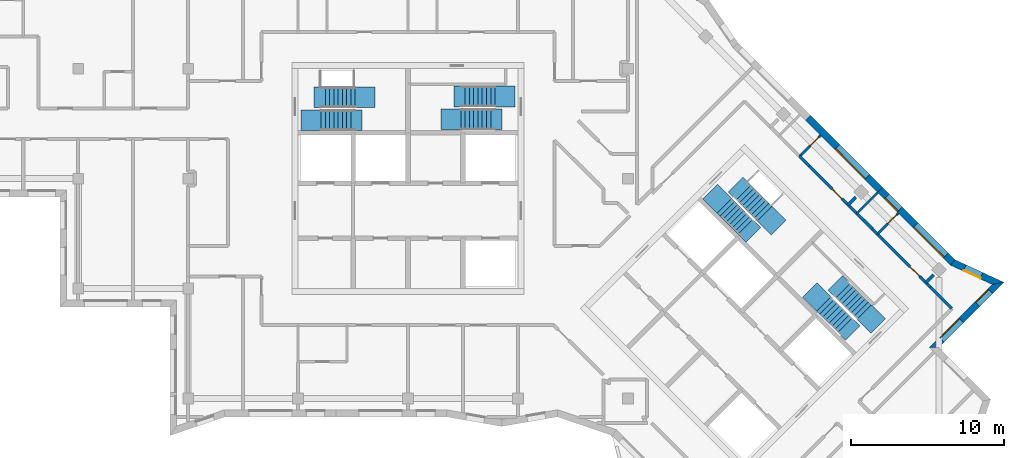
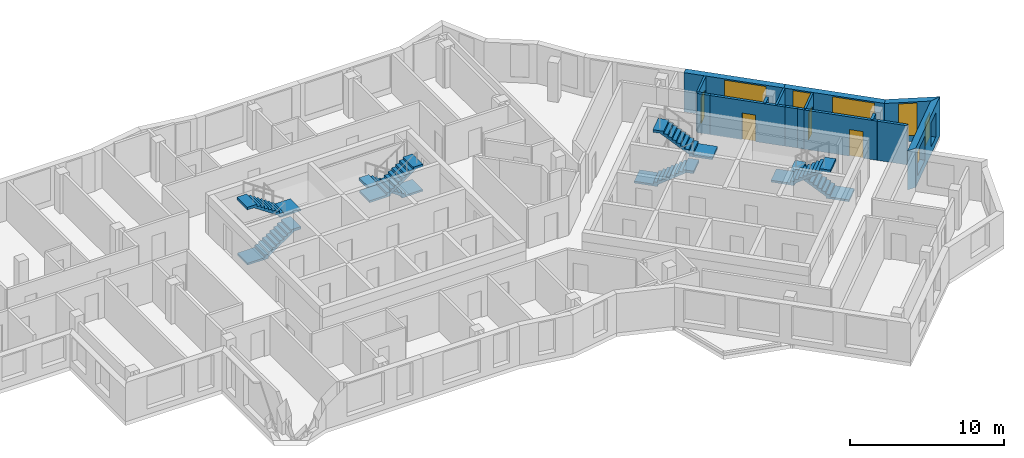
# One storey, part 8 of 11: 15 walls, 8 stair flights, 6 windows, 4 doors, 10 openings, 4 elements without a shape of their own.
"""IFC4 building model written with IfcOpenShell, lengths in metres."""

from ifc_helpers import new_model, si_unit, direction, frame, frame_2d, origin, place, context, subcontext, project, spatial, polyline, rectangle, outline, extrude, material, layer, layer_set, type_object, element, fill, aggregate, save


model = new_model("IFC4")

# Units and contexts
model_context = context("Model", 3, precision=1e-05, world=origin(), true_north=direction((0.0, 1.0)))
body_context = subcontext(model_context, "Body", "Model", "MODEL_VIEW")
ifc_project = project(units=[si_unit("LENGTHUNIT", "METRE"), si_unit("AREAUNIT", "SQUARE_METRE"), si_unit("VOLUMEUNIT", "CUBIC_METRE"), si_unit("PLANEANGLEUNIT", "RADIAN"), si_unit("MASSUNIT", "GRAM", prefix="KILO")], contexts=[model_context])

# Site, building, storey
site_placement = place(None, origin())
site = spatial("IfcSite", under=ifc_project, at=site_placement, CompositionType="ELEMENT")
building_placement = place(site_placement, origin())
building = spatial("IfcBuilding", under=site, at=building_placement, Name="Windrow Commons", CompositionType="ELEMENT")
storey_placement = place(building_placement, frame((0.0, 0.0, 281.2)))
storey = spatial("IfcBuildingStorey", under=building, at=storey_placement, Name="L77", CompositionType="ELEMENT", Elevation=281.2)

# Wall, openings, windows
ifc_material_1 = material(Name="Brick masonry, red clay brick", Category="masonry")
ifc_layer_1 = layer(ifc_material_1, 0.45)
ifc_layer_set_1 = layer_set([ifc_layer_1], Name="Brick facade wall 450")
wall_type_1 = type_object("IfcWallType", Name="Brick facade wall 450", PredefinedType="SOLIDWALL", material=ifc_layer_set_1)
wall_1_placement = place(storey_placement, frame((99.2465, 46.5442, 0.0), z_axis=(0.0, 0.0, 1.0), x_axis=(0.7071067812, 0.7071067812, 0.0)))
wall_1 = element("IfcWall", 1, at=wall_1_placement, inside=storey, type_object=wall_type_1, Name="Brick facade wall L77 5", PredefinedType="SOLIDWALL", context=body_context, shape_type="SweptSolid", body=[
    extrude(outline(polyline([(0.225, -0.225), (6.255, -0.225), (5.6098, 0.225), (-0.225, 0.225), (0.225, -0.225)])), origin(), (0.0, 0.0, 1.0), 3.1),
])
opening_1_placement = place(wall_1_placement, frame((0.7125, 0.0, 0.6)))
opening_1 = element("IfcOpeningElement", 2, at=opening_1_placement, cuts=wall_1, Name="Opening W1L", PredefinedType="OPENING", context=body_context, shape_type="SweptSolid", body=[
    extrude(rectangle(XDim=1.8, YDim=1.9, at=frame_2d((0.9, 0.95))), frame((0.0, 0.235, 0.0), z_axis=(0.0, -1.0, 0.0), x_axis=(1.0, 0.0, 0.0)), (0.0, 0.0, 1.0), 0.47),
])
opening_2_placement = place(wall_1_placement, frame((4.0174, 0.0, 0.6)))
opening_2 = element("IfcOpeningElement", 3, at=opening_2_placement, cuts=wall_1, Name="Opening W7G", PredefinedType="OPENING", context=body_context, shape_type="SweptSolid", body=[
    extrude(rectangle(XDim=1.2, YDim=1.9, at=frame_2d((0.6, 0.95))), frame((0.0, 0.235, 0.0), z_axis=(0.0, -1.0, 0.0), x_axis=(1.0, 0.0, 0.0)), (0.0, 0.0, 1.0), 0.47),
])
ifc_material_2 = material(Name="Clear float glass in anodised aluminium frame", Category="aluminium")
window_type_1 = type_object("IfcWindowType", Name="Window W1L bedroom 1800x1900", PartitioningType="SINGLE_PANEL", PredefinedType="WINDOW", material=ifc_material_2)
window_1_placement = place(opening_1_placement, origin())
window_1 = element("IfcWindow", 4, at=window_1_placement, inside=storey, type_object=window_type_1, Name="Window L77 5.1", OverallHeight=1.9, OverallWidth=1.8, PartitioningType="SINGLE_PANEL", PredefinedType="WINDOW", context=body_context, shape_type="SweptSolid", body=[
    extrude(rectangle(XDim=1.8, YDim=1.9, at=frame_2d((0.9, 0.95))), frame((0.0, 0.205, 0.0), z_axis=(0.0, -1.0, 0.0), x_axis=(1.0, 0.0, 0.0)), (0.0, 0.0, 1.0), 0.06),
])
fill(opening_1, window_1)
ifc_material_3 = material(Name="Clear float glass in anodised aluminium frame", Category="aluminium")
window_type_2 = type_object("IfcWindowType", Name="Window W7 notch 1200x1900", PartitioningType="SINGLE_PANEL", PredefinedType="WINDOW", material=ifc_material_3)
window_2_placement = place(opening_2_placement, origin())
window_2 = element("IfcWindow", 5, at=window_2_placement, inside=storey, type_object=window_type_2, Name="Window L77 5.2", OverallHeight=1.9, OverallWidth=1.2, PartitioningType="SINGLE_PANEL", PredefinedType="WINDOW", context=body_context, shape_type="SweptSolid", body=[
    extrude(rectangle(XDim=1.2, YDim=1.9, at=frame_2d((0.6, 0.95))), frame((0.0, 0.205, 0.0), z_axis=(0.0, -1.0, 0.0), x_axis=(1.0, 0.0, 0.0)), (0.0, 0.0, 1.0), 0.06),
])
fill(opening_2, window_2)

# Wall, opening, window
wall_2_placement = place(storey_placement, frame((103.4413, 50.739, 0.0), z_axis=(0.0, 0.0, 1.0), x_axis=(-0.9078548817, 0.419284526, 0.0)))
wall_2 = element("IfcWall", 6, at=wall_2_placement, inside=storey, type_object=wall_type_1, Name="Brick facade wall L77 6", PredefinedType="SOLIDWALL", context=body_context, shape_type="SweptSolid", body=[
    extrude(outline(polyline([(-0.3226, -0.225), (3.2377, -0.225), (3.3179, 0.225), (0.3226, 0.225), (-0.3226, -0.225)])), origin(), (0.0, 0.0, 1.0), 3.1),
])
opening_3_placement = place(wall_2_placement, frame((1.2002, 0.0, 0.45)))
opening_3 = element("IfcOpeningElement", 7, at=opening_3_placement, cuts=wall_2, Name="Opening W7F", PredefinedType="OPENING", context=body_context, shape_type="SweptSolid", body=[
    extrude(rectangle(XDim=1.2, YDim=2.55, at=frame_2d((0.6, 1.275))), frame((0.0, 0.235, 0.0), z_axis=(0.0, -1.0, 0.0), x_axis=(1.0, 0.0, 0.0)), (0.0, 0.0, 1.0), 0.47),
])
ifc_material_4 = material(Name="Clear float glass in anodised aluminium frame", Category="aluminium")
window_type_3 = type_object("IfcWindowType", Name="Window W7 notch 1200x2550", PartitioningType="SINGLE_PANEL", PredefinedType="WINDOW", material=ifc_material_4)
window_3_placement = place(opening_3_placement, origin())
window_3 = element("IfcWindow", 8, at=window_3_placement, inside=storey, type_object=window_type_3, Name="Window L77 6.1", OverallHeight=2.55, OverallWidth=1.2, PartitioningType="SINGLE_PANEL", PredefinedType="WINDOW", context=body_context, shape_type="SweptSolid", body=[
    extrude(rectangle(XDim=1.2, YDim=2.55, at=frame_2d((0.6, 1.275))), frame((0.0, 0.205, 0.0), z_axis=(0.0, -1.0, 0.0), x_axis=(1.0, 0.0, 0.0)), (0.0, 0.0, 1.0), 0.06),
])
fill(opening_3, window_3)

# Wall, openings, windows
wall_3_placement = place(storey_placement, frame((100.4656, 52.1133, 0.0), z_axis=(0.0, 0.0, 1.0), x_axis=(-0.7071067812, 0.7071067812, 0.0)))
wall_3 = element("IfcWall", 9, at=wall_3_placement, inside=storey, type_object=wall_type_1, Name="Brick facade wall L77 7", PredefinedType="SOLIDWALL", context=body_context, shape_type="SweptSolid", body=[
    extrude(outline(polyline([(0.0401, -0.225), (6.7222, -0.225), (6.7222, 0.225), (-0.0401, 0.225), (0.0401, -0.225)])), origin(), (0.0, 0.0, 1.0), 3.1),
])
opening_4_placement = place(wall_3_placement, frame((0.6495, 0.0, 0.45)))
opening_4 = element("IfcOpeningElement", 10, at=opening_4_placement, cuts=wall_3, Name="Opening W1V", PredefinedType="OPENING", context=body_context, shape_type="SweptSolid", body=[
    extrude(rectangle(XDim=2.8, YDim=2.55, at=frame_2d((1.4, 1.275))), frame((0.0, 0.235, 0.0), z_axis=(0.0, -1.0, 0.0), x_axis=(1.0, 0.0, 0.0)), (0.0, 0.0, 1.0), 0.47),
])
opening_5_placement = place(wall_3_placement, frame((4.9106, 0.0, 0.45)))
opening_5 = element("IfcOpeningElement", 11, at=opening_5_placement, cuts=wall_3, Name="Opening W7F", PredefinedType="OPENING", context=body_context, shape_type="SweptSolid", body=[
    extrude(rectangle(XDim=1.2, YDim=2.55, at=frame_2d((0.6, 1.275))), frame((0.0, 0.235, 0.0), z_axis=(0.0, -1.0, 0.0), x_axis=(1.0, 0.0, 0.0)), (0.0, 0.0, 1.0), 0.47),
])
ifc_material_5 = material(Name="Clear float glass in anodised aluminium frame", Category="aluminium")
window_type_4 = type_object("IfcWindowType", Name="Window W1V bedroom 2800x2550", PartitioningType="SINGLE_PANEL", PredefinedType="WINDOW", material=ifc_material_5)
window_4_placement = place(opening_4_placement, origin())
window_4 = element("IfcWindow", 12, at=window_4_placement, inside=storey, type_object=window_type_4, Name="Window L77 7.1", OverallHeight=2.55, OverallWidth=2.8, PartitioningType="SINGLE_PANEL", PredefinedType="WINDOW", context=body_context, shape_type="SweptSolid", body=[
    extrude(rectangle(XDim=2.8, YDim=2.55, at=frame_2d((1.4, 1.275))), frame((0.0, 0.205, 0.0), z_axis=(0.0, -1.0, 0.0), x_axis=(1.0, 0.0, 0.0)), (0.0, 0.0, 1.0), 0.06),
])
fill(opening_4, window_4)
window_5_placement = place(opening_5_placement, origin())
window_5 = element("IfcWindow", 13, at=window_5_placement, inside=storey, type_object=window_type_3, Name="Window L77 7.2", OverallHeight=2.55, OverallWidth=1.2, PartitioningType="SINGLE_PANEL", PredefinedType="WINDOW", context=body_context, shape_type="SweptSolid", body=[
    extrude(rectangle(XDim=1.2, YDim=2.55, at=frame_2d((0.6, 1.275))), frame((0.0, 0.205, 0.0), z_axis=(0.0, -1.0, 0.0), x_axis=(1.0, 0.0, 0.0)), (0.0, 0.0, 1.0), 0.06),
])
fill(opening_5, window_5)

# Wall, opening, window
wall_4_placement = place(storey_placement, frame((95.7122, 56.8667, 0.0), z_axis=(0.0, 0.0, 1.0), x_axis=(-0.7071067812, 0.7071067812, 0.0)))
wall_4 = element("IfcWall", 14, at=wall_4_placement, inside=storey, type_object=wall_type_1, Name="Brick facade wall L77 8", PredefinedType="SOLIDWALL", context=body_context, shape_type="SweptSolid", body=[
    extrude(outline(polyline([(0.0, -0.225), (6.6821, -0.225), (6.6821, 0.225), (0.0, 0.225), (0.0, -0.225)])), origin(), (0.0, 0.0, 1.0), 3.1),
])
opening_6_placement = place(wall_4_placement, frame((1.1768, 0.0, 0.45)))
opening_6 = element("IfcOpeningElement", 15, at=opening_6_placement, cuts=wall_4, Name="Opening W1V", PredefinedType="OPENING", context=body_context, shape_type="SweptSolid", body=[
    extrude(rectangle(XDim=2.8, YDim=2.55, at=frame_2d((1.4, 1.275))), frame((0.0, 0.235, 0.0), z_axis=(0.0, -1.0, 0.0), x_axis=(1.0, 0.0, 0.0)), (0.0, 0.0, 1.0), 0.47),
])
window_6_placement = place(opening_6_placement, origin())
window_6 = element("IfcWindow", 16, at=window_6_placement, inside=storey, type_object=window_type_4, Name="Window L77 8.1", OverallHeight=2.55, OverallWidth=2.8, PartitioningType="SINGLE_PANEL", PredefinedType="WINDOW", context=body_context, shape_type="SweptSolid", body=[
    extrude(rectangle(XDim=2.8, YDim=2.55, at=frame_2d((1.4, 1.275))), frame((0.0, 0.205, 0.0), z_axis=(0.0, -1.0, 0.0), x_axis=(1.0, 0.0, 0.0)), (0.0, 0.0, 1.0), 0.06),
])
fill(opening_6, window_6)

# Wall, opening, door
ifc_material_6 = material(Name="Blockwork partition", Category="masonry")
ifc_layer_2 = layer(ifc_material_6, 0.2)
ifc_layer_set_2 = layer_set([ifc_layer_2], Name="IW-CORRIDOR-200")
wall_type_2 = type_object("IfcWallType", Name="IW-CORRIDOR-200", PredefinedType="PARTITIONING", material=ifc_layer_set_2)
wall_5_placement = place(storey_placement, frame((91.0769, 58.4209, 0.0), z_axis=(0.0, 0.0, 1.0), x_axis=(0.7069869563, -0.7072265858, 0.0)))
wall_5 = element("IfcWall", 17, at=wall_5_placement, inside=storey, type_object=wall_type_2, Name="W-L77-W028", PredefinedType="PARTITIONING", context=body_context, shape_type="SweptSolid", body=[
    extrude(rectangle(XDim=5.0077, YDim=0.2, at=frame_2d((2.5038, 0.0))), origin(), (0.0, 0.0, 1.0), 3.1),
])
opening_7_placement = place(wall_5_placement, frame((2.1319, 0.0, 0.0)))
opening_7 = element("IfcOpeningElement", 18, at=opening_7_placement, cuts=wall_5, Name="Opening D109S", PredefinedType="OPENING", context=body_context, shape_type="SweptSolid", body=[
    extrude(rectangle(XDim=0.9, YDim=2.1, at=frame_2d((0.45, 1.05))), frame((0.0, 0.11, 0.0), z_axis=(0.0, -1.0, 0.0), x_axis=(1.0, 0.0, 0.0)), (0.0, 0.0, 1.0), 0.22),
])
ifc_material_7 = material(Name="Timber door leaf", Category="wood")
door_type_1 = type_object("IfcDoorType", Name="DT-BEDROOM-900", OperationType="SINGLE_SWING_LEFT", PredefinedType="DOOR", material=ifc_material_7)
door_1_placement = place(opening_7_placement, origin())
door_1 = element("IfcDoor", 19, at=door_1_placement, inside=storey, type_object=door_type_1, Name="D-L77-D031", OperationType="SINGLE_SWING_LEFT", OverallHeight=2.1, OverallWidth=0.9, PredefinedType="DOOR", context=body_context, shape_type="SweptSolid", body=[
    extrude(rectangle(XDim=0.9, YDim=2.1, at=frame_2d((0.45, 1.05))), frame((0.0, 0.025, 0.0), z_axis=(0.0, -1.0, 0.0), x_axis=(1.0, 0.0, 0.0)), (0.0, 0.0, 1.0), 0.05),
])
fill(opening_7, door_1)

wall_6_placement = place(storey_placement, frame((95.5313, 53.9653, 0.0), z_axis=(0.0, 0.0, 1.0), x_axis=(0.7071067812, -0.7071067812, 0.0)))
wall_6 = element("IfcWall", 20, at=wall_6_placement, inside=storey, type_object=wall_type_2, Name="W-L77-W029", PredefinedType="PARTITIONING", context=body_context, shape_type="SweptSolid", body=[
    extrude(rectangle(XDim=4.8988, YDim=0.2, at=frame_2d((2.4494, 0.0))), origin(), (0.0, 0.0, 1.0), 3.1),
])
opening_8_placement = place(wall_6_placement, frame((3.0315, 0.0, 0.0)))
opening_8 = element("IfcOpeningElement", 21, at=opening_8_placement, cuts=wall_6, Name="Opening D109S", PredefinedType="OPENING", context=body_context, shape_type="SweptSolid", body=[
    extrude(rectangle(XDim=0.9, YDim=2.1, at=frame_2d((0.45, 1.05))), frame((0.0, 0.11, 0.0), z_axis=(0.0, -1.0, 0.0), x_axis=(1.0, 0.0, 0.0)), (0.0, 0.0, 1.0), 0.22),
])
door_2_placement = place(opening_8_placement, origin())
door_2 = element("IfcDoor", 22, at=door_2_placement, inside=storey, type_object=door_type_1, Name="D-L77-D033", OperationType="SINGLE_SWING_LEFT", OverallHeight=2.1, OverallWidth=0.9, PredefinedType="DOOR", context=body_context, shape_type="SweptSolid", body=[
    extrude(rectangle(XDim=0.9, YDim=2.1, at=frame_2d((0.45, 1.05))), frame((0.0, 0.025, 0.0), z_axis=(0.0, -1.0, 0.0), x_axis=(1.0, 0.0, 0.0)), (0.0, 0.0, 1.0), 0.05),
])
fill(opening_8, door_2)

# Walls
wall_7_placement = place(storey_placement, frame((98.9983, 50.5043, 0.0), z_axis=(0.0, 0.0, 1.0), x_axis=(0.7076063266, -0.7066068826, 0.0)))
element("IfcWall", 23, at=wall_7_placement, inside=storey, type_object=wall_type_2, Name="W-L77-W085", PredefinedType="PARTITIONING", context=body_context, shape_type="SweptSolid", body=[
    extrude(rectangle(XDim=2.0011, YDim=0.2, at=frame_2d((1.0006, 0.0))), origin(), (0.0, 0.0, 1.0), 3.1),
])
wall_8_placement = place(storey_placement, frame((90.4428, 59.0608, 0.0), z_axis=(0.0, 0.0, 1.0), x_axis=(0.7082159662, -0.7059958535, 0.0)))
element("IfcWall", 24, at=wall_8_placement, inside=storey, type_object=wall_type_2, Name="W-L77-W115", PredefinedType="PARTITIONING", context=body_context, shape_type="SweptSolid", body=[
    extrude(rectangle(XDim=0.9009, YDim=0.2, at=frame_2d((0.4505, 0.0))), origin(), (0.0, 0.0, 1.0), 3.1),
])
wall_9_placement = place(storey_placement, frame((94.6229, 54.8849, 0.0), z_axis=(0.0, 0.0, 1.0), x_axis=(0.7083103646, -0.7059011457, 0.0)))
element("IfcWall", 25, at=wall_9_placement, inside=storey, type_object=wall_type_2, Name="W-L77-W117", PredefinedType="PARTITIONING", context=body_context, shape_type="SweptSolid", body=[
    extrude(rectangle(XDim=0.8301, YDim=0.2, at=frame_2d((0.415, 0.0))), origin(), (0.0, 0.0, 1.0), 3.1),
])
wall_10_placement = place(storey_placement, frame((95.2057, 54.2937, 0.0), z_axis=(0.0, 0.0, 1.0), x_axis=(0.7049410788, -0.7092658707, 0.0)))
element("IfcWall", 26, at=wall_10_placement, inside=storey, type_object=wall_type_2, Name="W-L77-W129", PredefinedType="PARTITIONING", context=body_context, shape_type="SweptSolid", body=[
    extrude(rectangle(XDim=0.4624, YDim=0.2, at=frame_2d((0.2312, 0.0))), origin(), (0.0, 0.0, 1.0), 3.1),
])

# Wall, opening, door
ifc_material_8 = material(Name="Blockwork partition", Category="masonry")
ifc_layer_3 = layer(ifc_material_8, 0.15)
ifc_layer_set_3 = layer_set([ifc_layer_3], Name="IW-ENSUITE-150")
wall_type_3 = type_object("IfcWallType", Name="IW-ENSUITE-150", PredefinedType="PARTITIONING", material=ifc_layer_set_3)
wall_11_placement = place(storey_placement, frame((90.4416, 59.0604, 0.0), z_axis=(0.0, 0.0, 1.0), x_axis=(0.7076448457, 0.7065683069, 0.0)))
wall_11 = element("IfcWall", 27, at=wall_11_placement, inside=storey, type_object=wall_type_3, Name="W-L77-W091", PredefinedType="PARTITIONING", context=body_context, shape_type="SweptSolid", body=[
    extrude(rectangle(XDim=1.9507, YDim=0.15, at=frame_2d((0.9754, 0.0))), origin(), (0.0, 0.0, 1.0), 3.1),
])
opening_9_placement = place(wall_11_placement, frame((0.9732, 0.0, 0.0)))
opening_9 = element("IfcOpeningElement", 28, at=opening_9_placement, cuts=wall_11, Name="Opening D208N", PredefinedType="OPENING", context=body_context, shape_type="SweptSolid", body=[
    extrude(rectangle(XDim=0.8, YDim=2.1, at=frame_2d((0.4, 1.05))), frame((0.0, 0.085, 0.0), z_axis=(0.0, -1.0, 0.0), x_axis=(1.0, 0.0, 0.0)), (0.0, 0.0, 1.0), 0.17),
])
ifc_material_9 = material(Name="Timber door leaf", Category="wood")
door_type_2 = type_object("IfcDoorType", Name="DT-ENSUITE-800", OperationType="SINGLE_SWING_LEFT", PredefinedType="DOOR", material=ifc_material_9)
door_3_placement = place(opening_9_placement, origin())
door_3 = element("IfcDoor", 29, at=door_3_placement, inside=storey, type_object=door_type_2, Name="D-L77-D032", OperationType="SINGLE_SWING_RIGHT", OverallHeight=2.1, OverallWidth=0.8, PredefinedType="DOOR", context=body_context, shape_type="SweptSolid", body=[
    extrude(rectangle(XDim=0.8, YDim=2.1, at=frame_2d((0.4, 1.05))), frame((0.0, 0.025, 0.0), z_axis=(0.0, -1.0, 0.0), x_axis=(1.0, 0.0, 0.0)), (0.0, 0.0, 1.0), 0.05),
])
fill(opening_9, door_3)

# Wall
wall_12_placement = place(storey_placement, frame((94.1894, 55.3126, 0.0), z_axis=(0.0, 0.0, 1.0), x_axis=(0.7070811488, 0.7071324126, 0.0)))
element("IfcWall", 30, at=wall_12_placement, inside=storey, type_object=wall_type_3, Name="W-L77-W092", PredefinedType="PARTITIONING", context=body_context, shape_type="SweptSolid", body=[
    extrude(rectangle(XDim=1.9507, YDim=0.15, at=frame_2d((0.9754, 0.0))), origin(), (0.0, 0.0, 1.0), 3.1),
])

# Wall, opening, door
wall_13_placement = place(storey_placement, frame((95.5329, 53.9691, 0.0), z_axis=(0.0, 0.0, 1.0), x_axis=(0.7070811488, 0.7071324126, 0.0)))
wall_13 = element("IfcWall", 31, at=wall_13_placement, inside=storey, type_object=wall_type_3, Name="W-L77-W093", PredefinedType="PARTITIONING", context=body_context, shape_type="SweptSolid", body=[
    extrude(rectangle(XDim=1.9507, YDim=0.15, at=frame_2d((0.9754, 0.0))), origin(), (0.0, 0.0, 1.0), 3.1),
])
opening_10_placement = place(wall_13_placement, frame((0.9763, 0.0, 0.0)))
opening_10 = element("IfcOpeningElement", 32, at=opening_10_placement, cuts=wall_13, Name="Opening D208N", PredefinedType="OPENING", context=body_context, shape_type="SweptSolid", body=[
    extrude(rectangle(XDim=0.8, YDim=2.1, at=frame_2d((0.4, 1.05))), frame((0.0, 0.085, 0.0), z_axis=(0.0, -1.0, 0.0), x_axis=(1.0, 0.0, 0.0)), (0.0, 0.0, 1.0), 0.17),
])
door_4_placement = place(opening_10_placement, origin())
door_4 = element("IfcDoor", 33, at=door_4_placement, inside=storey, type_object=door_type_2, Name="D-L77-D034", OperationType="SINGLE_SWING_RIGHT", OverallHeight=2.1, OverallWidth=0.8, PredefinedType="DOOR", context=body_context, shape_type="SweptSolid", body=[
    extrude(rectangle(XDim=0.8, YDim=2.1, at=frame_2d((0.4, 1.05))), frame((0.0, 0.025, 0.0), z_axis=(0.0, -1.0, 0.0), x_axis=(1.0, 0.0, 0.0)), (0.0, 0.0, 1.0), 0.05),
])
fill(opening_10, door_4)

# Walls
ifc_material_10 = material(Name="Blockwork partition", Category="masonry")
ifc_layer_4 = layer(ifc_material_10, 0.2)
ifc_layer_set_4 = layer_set([ifc_layer_4], Name="IW-PARTY-200")
wall_type_4 = type_object("IfcWallType", Name="IW-PARTY-200", PredefinedType="PARTITIONING", material=ifc_layer_set_4)
wall_14_placement = place(storey_placement, frame((98.7148, 50.7872, 0.0), z_axis=(0.0, 0.0, 1.0), x_axis=(0.7071067812, 0.7071067812, 0.0)))
element("IfcWall", 34, at=wall_14_placement, inside=storey, type_object=wall_type_4, Name="W-L77-W121", PredefinedType="PARTITIONING", context=body_context, shape_type="SweptSolid", body=[
    extrude(rectangle(XDim=0.7071, YDim=0.2, at=frame_2d((0.3535, 0.0))), origin(), (0.0, 0.0, 1.0), 3.1),
])
wall_15_placement = place(storey_placement, frame((93.625, 55.877, 0.0), z_axis=(0.0, 0.0, 1.0), x_axis=(0.7085224061, 0.7056883165, 0.0)))
element("IfcWall", 35, at=wall_15_placement, inside=storey, type_object=wall_type_4, Name="W-L77-W122", PredefinedType="PARTITIONING", context=body_context, shape_type="SweptSolid", body=[
    extrude(rectangle(XDim=0.7057, YDim=0.2, at=frame_2d((0.3528, 0.0))), origin(), (0.0, 0.0, 1.0), 3.1),
])

# Stair, stair flights
ifc_material_11 = material(Name="Concrete C40/50", Category="concrete")
stair_type = type_object("IfcStairType", Name="Core stair", PredefinedType="HALF_TURN_STAIR", material=ifc_material_11)
placement = place(storey_placement, origin())
stair_1 = element("IfcStair", 36, at=placement, inside=storey, type_object=stair_type, Name="L77 Exit stair A1 core A", PredefinedType="HALF_TURN_STAIR")
ifc_material_12 = material(Name="Concrete C40/50", Category="concrete")
stair_flight_type = type_object("IfcStairFlightType", Name="Core stair flight", PredefinedType="STRAIGHT", material=ifc_material_12)
stair_flight_1_placement = place(storey_placement, frame((59.1, 61.425, 0.0), z_axis=(0.0, 0.0, 1.0), x_axis=(1.0, 0.0, 0.0)))
stair_flight_1 = element("IfcStairFlight", 37, at=stair_flight_1_placement, type_object=stair_flight_type, Name="ST-A1 flight 1", NumberOfRisers=9, NumberOfTreads=8, PredefinedType="STRAIGHT", RiserHeight=0.188888889, TreadLength=0.28, context=body_context, shape_type="SweptSolid", body=[
    extrude(outline(polyline([(-1.3, -0.15), (-1.3, 0.0), (0.0, 0.0), (0.0, 0.1889), (0.28, 0.1889), (0.28, 0.3778), (0.56, 0.3778), (0.56, 0.5667), (0.84, 0.5667), (0.84, 0.7556), (1.12, 0.7556), (1.12, 0.9444), (1.4, 0.9444), (1.4, 1.1333), (1.68, 1.1333), (1.68, 1.3222), (1.96, 1.3222), (1.96, 1.5111), (2.24, 1.5111), (2.69, 1.5111), (2.69, 1.3111), (2.24, 1.3111), (2.24, 1.3302), (0.2682, 0.0), (0.2682, -0.15), (-1.3, -0.15)])), frame((0.0, 0.675, 0.0), z_axis=(0.0, -1.0, 0.0), x_axis=(1.0, 0.0, 0.0)), (0.0, 0.0, 1.0), 1.35),
])
stair_flight_2_placement = place(storey_placement, frame((61.34, 62.925, 1.7), z_axis=(0.0, 0.0, 1.0), x_axis=(-1.0, 0.0, 0.0)))
stair_flight_2 = element("IfcStairFlight", 38, at=stair_flight_2_placement, type_object=stair_flight_type, Name="ST-A1 flight 2", NumberOfRisers=9, NumberOfTreads=8, PredefinedType="STRAIGHT", RiserHeight=0.188888889, TreadLength=0.28, context=body_context, shape_type="SweptSolid", body=[
    extrude(outline(polyline([(-1.3, -0.15), (-1.3, 0.0), (0.0, 0.0), (0.0, 0.1889), (0.28, 0.1889), (0.28, 0.3778), (0.56, 0.3778), (0.56, 0.5667), (0.84, 0.5667), (0.84, 0.7556), (1.12, 0.7556), (1.12, 0.9444), (1.4, 0.9444), (1.4, 1.1333), (1.68, 1.1333), (1.68, 1.3222), (1.96, 1.3222), (1.96, 1.5111), (2.24, 1.5111), (2.69, 1.5111), (2.69, 1.3111), (2.24, 1.3111), (2.24, 1.3302), (0.2682, 0.0), (0.2682, -0.15), (-1.3, -0.15)])), frame((0.0, 0.675, 0.0), z_axis=(0.0, -1.0, 0.0), x_axis=(1.0, 0.0, 0.0)), (0.0, 0.0, 1.0), 1.35),
])
aggregate(stair_1, [stair_flight_1, stair_flight_2])

stair_2 = element("IfcStair", 39, at=placement, inside=storey, type_object=stair_type, Name="L77 Exit stair A2 core A", PredefinedType="HALF_TURN_STAIR")
stair_flight_3_placement = place(storey_placement, frame((70.5, 62.98, 0.0), z_axis=(0.0, 0.0, 1.0), x_axis=(-1.0, 0.0, 0.0)))
stair_flight_3 = element("IfcStairFlight", 40, at=stair_flight_3_placement, type_object=stair_flight_type, Name="ST-A2 flight 1", NumberOfRisers=9, NumberOfTreads=8, PredefinedType="STRAIGHT", RiserHeight=0.188888889, TreadLength=0.28, context=body_context, shape_type="SweptSolid", body=[
    extrude(outline(polyline([(-1.3, -0.15), (-1.3, 0.0), (0.0, 0.0), (0.0, 0.1889), (0.28, 0.1889), (0.28, 0.3778), (0.56, 0.3778), (0.56, 0.5667), (0.84, 0.5667), (0.84, 0.7556), (1.12, 0.7556), (1.12, 0.9444), (1.4, 0.9444), (1.4, 1.1333), (1.68, 1.1333), (1.68, 1.3222), (1.96, 1.3222), (1.96, 1.5111), (2.24, 1.5111), (2.69, 1.5111), (2.69, 1.3111), (2.24, 1.3111), (2.24, 1.3302), (0.2682, 0.0), (0.2682, -0.15), (-1.3, -0.15)])), frame((0.0, 0.675, 0.0), z_axis=(0.0, -1.0, 0.0), x_axis=(1.0, 0.0, 0.0)), (0.0, 0.0, 1.0), 1.35),
])
stair_flight_4_placement = place(storey_placement, frame((68.26, 61.48, 1.7), z_axis=(0.0, 0.0, 1.0), x_axis=(1.0, 0.0, 0.0)))
stair_flight_4 = element("IfcStairFlight", 41, at=stair_flight_4_placement, type_object=stair_flight_type, Name="ST-A2 flight 2", NumberOfRisers=9, NumberOfTreads=8, PredefinedType="STRAIGHT", RiserHeight=0.188888889, TreadLength=0.28, context=body_context, shape_type="SweptSolid", body=[
    extrude(outline(polyline([(-1.3, -0.15), (-1.3, 0.0), (0.0, 0.0), (0.0, 0.1889), (0.28, 0.1889), (0.28, 0.3778), (0.56, 0.3778), (0.56, 0.5667), (0.84, 0.5667), (0.84, 0.7556), (1.12, 0.7556), (1.12, 0.9444), (1.4, 0.9444), (1.4, 1.1333), (1.68, 1.1333), (1.68, 1.3222), (1.96, 1.3222), (1.96, 1.5111), (2.24, 1.5111), (2.69, 1.5111), (2.69, 1.3111), (2.24, 1.3111), (2.24, 1.3302), (0.2682, 0.0), (0.2682, -0.15), (-1.3, -0.15)])), frame((0.0, 0.675, 0.0), z_axis=(0.0, -1.0, 0.0), x_axis=(1.0, 0.0, 0.0)), (0.0, 0.0, 1.0), 1.35),
])
aggregate(stair_2, [stair_flight_3, stair_flight_4])

stair_3 = element("IfcStair", 42, at=placement, inside=storey, type_object=stair_type, Name="L77 Exit stair B1 core B", PredefinedType="HALF_TURN_STAIR")
stair_flight_5_placement = place(storey_placement, frame((85.5109, 55.8249, 0.0), z_axis=(0.0, 0.0, 1.0), x_axis=(0.7071067812, -0.7071067812, 0.0)))
stair_flight_5 = element("IfcStairFlight", 43, at=stair_flight_5_placement, type_object=stair_flight_type, Name="ST-B1 flight 1", NumberOfRisers=9, NumberOfTreads=8, PredefinedType="STRAIGHT", RiserHeight=0.188888889, TreadLength=0.28, context=body_context, shape_type="SweptSolid", body=[
    extrude(outline(polyline([(-1.3, -0.15), (-1.3, 0.0), (0.0, 0.0), (0.0, 0.1889), (0.28, 0.1889), (0.28, 0.3778), (0.56, 0.3778), (0.56, 0.5667), (0.84, 0.5667), (0.84, 0.7556), (1.12, 0.7556), (1.12, 0.9444), (1.4, 0.9444), (1.4, 1.1333), (1.68, 1.1333), (1.68, 1.3222), (1.96, 1.3222), (1.96, 1.5111), (2.24, 1.5111), (2.69, 1.5111), (2.69, 1.3111), (2.24, 1.3111), (2.24, 1.3302), (0.2682, 0.0), (0.2682, -0.15), (-1.3, -0.15)])), frame((0.0, 0.675, 0.0), z_axis=(0.0, -1.0, 0.0), x_axis=(1.0, 0.0, 0.0)), (0.0, 0.0, 1.0), 1.35),
])
stair_flight_6_placement = place(storey_placement, frame((88.1555, 55.3017, 1.7), z_axis=(0.0, 0.0, 1.0), x_axis=(-0.7071067812, 0.7071067812, 0.0)))
stair_flight_6 = element("IfcStairFlight", 44, at=stair_flight_6_placement, type_object=stair_flight_type, Name="ST-B1 flight 2", NumberOfRisers=9, NumberOfTreads=8, PredefinedType="STRAIGHT", RiserHeight=0.188888889, TreadLength=0.28, context=body_context, shape_type="SweptSolid", body=[
    extrude(outline(polyline([(-1.3, -0.15), (-1.3, 0.0), (0.0, 0.0), (0.0, 0.1889), (0.28, 0.1889), (0.28, 0.3778), (0.56, 0.3778), (0.56, 0.5667), (0.84, 0.5667), (0.84, 0.7556), (1.12, 0.7556), (1.12, 0.9444), (1.4, 0.9444), (1.4, 1.1333), (1.68, 1.1333), (1.68, 1.3222), (1.96, 1.3222), (1.96, 1.5111), (2.24, 1.5111), (2.69, 1.5111), (2.69, 1.3111), (2.24, 1.3111), (2.24, 1.3302), (0.2682, 0.0), (0.2682, -0.15), (-1.3, -0.15)])), frame((0.0, 0.675, 0.0), z_axis=(0.0, -1.0, 0.0), x_axis=(1.0, 0.0, 0.0)), (0.0, 0.0, 1.0), 1.35),
])
aggregate(stair_3, [stair_flight_5, stair_flight_6])

stair_4 = element("IfcStair", 45, at=placement, inside=storey, type_object=stair_type, Name="L77 Exit stair B2 core B", PredefinedType="HALF_TURN_STAIR")
stair_flight_7_placement = place(storey_placement, frame((94.6715, 48.8635, 0.0), z_axis=(0.0, 0.0, 1.0), x_axis=(-0.7071067812, 0.7071067812, 0.0)))
stair_flight_7 = element("IfcStairFlight", 46, at=stair_flight_7_placement, type_object=stair_flight_type, Name="ST-B2 flight 1", NumberOfRisers=9, NumberOfTreads=8, PredefinedType="STRAIGHT", RiserHeight=0.188888889, TreadLength=0.28, context=body_context, shape_type="SweptSolid", body=[
    extrude(outline(polyline([(-1.3, -0.15), (-1.3, 0.0), (0.0, 0.0), (0.0, 0.1889), (0.28, 0.1889), (0.28, 0.3778), (0.56, 0.3778), (0.56, 0.5667), (0.84, 0.5667), (0.84, 0.7556), (1.12, 0.7556), (1.12, 0.9444), (1.4, 0.9444), (1.4, 1.1333), (1.68, 1.1333), (1.68, 1.3222), (1.96, 1.3222), (1.96, 1.5111), (2.24, 1.5111), (2.69, 1.5111), (2.69, 1.3111), (2.24, 1.3111), (2.24, 1.3302), (0.2682, 0.0), (0.2682, -0.15), (-1.3, -0.15)])), frame((0.0, 0.675, 0.0), z_axis=(0.0, -1.0, 0.0), x_axis=(1.0, 0.0, 0.0)), (0.0, 0.0, 1.0), 1.35),
])
stair_flight_8_placement = place(storey_placement, frame((92.0269, 49.3867, 1.7), z_axis=(0.0, 0.0, 1.0), x_axis=(0.7071067812, -0.7071067812, 0.0)))
stair_flight_8 = element("IfcStairFlight", 47, at=stair_flight_8_placement, type_object=stair_flight_type, Name="ST-B2 flight 2", NumberOfRisers=9, NumberOfTreads=8, PredefinedType="STRAIGHT", RiserHeight=0.188888889, TreadLength=0.28, context=body_context, shape_type="SweptSolid", body=[
    extrude(outline(polyline([(-1.3, -0.15), (-1.3, 0.0), (0.0, 0.0), (0.0, 0.1889), (0.28, 0.1889), (0.28, 0.3778), (0.56, 0.3778), (0.56, 0.5667), (0.84, 0.5667), (0.84, 0.7556), (1.12, 0.7556), (1.12, 0.9444), (1.4, 0.9444), (1.4, 1.1333), (1.68, 1.1333), (1.68, 1.3222), (1.96, 1.3222), (1.96, 1.5111), (2.24, 1.5111), (2.69, 1.5111), (2.69, 1.3111), (2.24, 1.3111), (2.24, 1.3302), (0.2682, 0.0), (0.2682, -0.15), (-1.3, -0.15)])), frame((0.0, 0.675, 0.0), z_axis=(0.0, -1.0, 0.0), x_axis=(1.0, 0.0, 0.0)), (0.0, 0.0, 1.0), 1.35),
])
aggregate(stair_4, [stair_flight_7, stair_flight_8])

save(model, "model.ifc")
